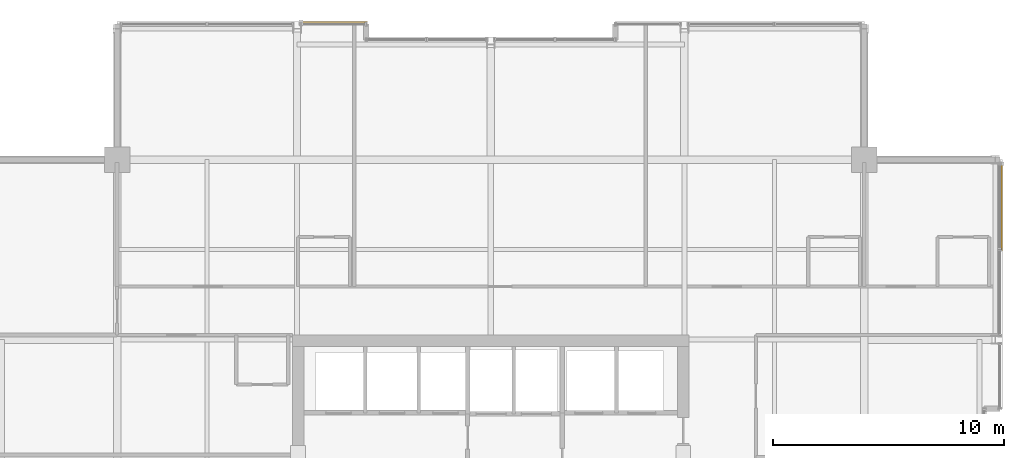
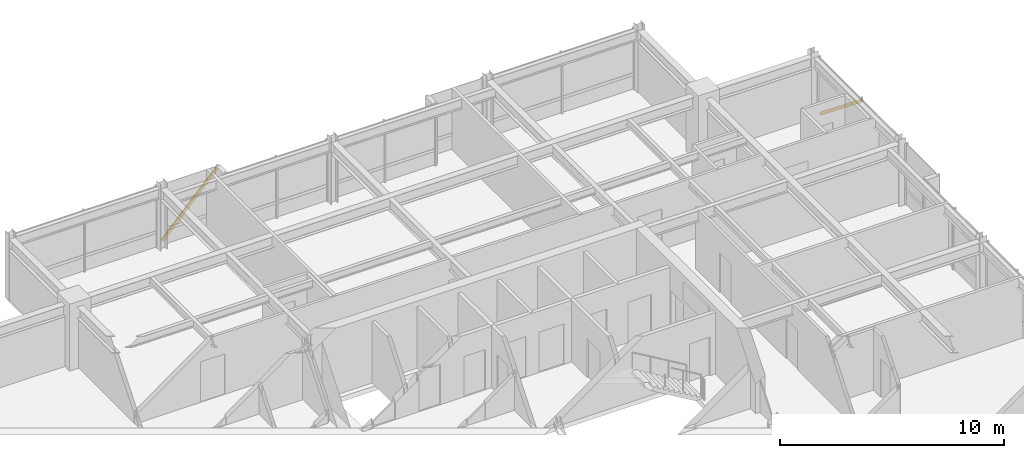
# One storey, part 34 of 34: 2 shading devices.
"""IFC4 building model written with IfcOpenShell, lengths in metres."""

from ifc_helpers import new_model, si_unit, direction, frame, origin, origin_2d, place, context, subcontext, project, spatial, hollow_rectangle, extrude, material, material_profile, profile_set, type_object, element, save


model = new_model("IFC4")

# Units and contexts
model_context = context("Model", 3, precision=1e-05, world=origin(), true_north=direction((0.0, 1.0)))
body_context = subcontext(model_context, "Body", "Model", "MODEL_VIEW")
ifc_project = project(units=[si_unit("LENGTHUNIT", "METRE"), si_unit("AREAUNIT", "SQUARE_METRE"), si_unit("VOLUMEUNIT", "CUBIC_METRE"), si_unit("PLANEANGLEUNIT", "RADIAN"), si_unit("MASSUNIT", "GRAM", prefix="KILO")], contexts=[model_context])

# Site, building, storey
site_placement = place(None, origin())
site = spatial("IfcSite", under=ifc_project, at=site_placement, CompositionType="ELEMENT")
building_placement = place(site_placement, origin())
building = spatial("IfcBuilding", under=site, at=building_placement, Name="Drelvath Grand Hotel", CompositionType="ELEMENT")
storey_placement = place(building_placement, frame((0.0, 0.0, 290.550048828125)))
storey = spatial("IfcBuildingStorey", under=building, at=storey_placement, Name="L76", CompositionType="ELEMENT", Elevation=290.550048828125)

# Shading devices
ifc_material = material(Name="Platinum-Mist Anodised Aluminium", Category="aluminium")
ifc_material_profile = material_profile(ifc_material, hollow_rectangle(XDim=0.06494140625, YDim=0.159912109375, WallThickness=0.00390625, at=origin_2d()), Name="HSS160X65X4")
ifc_profile_set = profile_set([ifc_material_profile], Name="Platinum-Mist Anodised Aluminium")
shading_device_type = type_object("IfcShadingDeviceType", Name="Diagonal Solar Fin Platinum Anodised HSS160X65X4", PredefinedType="USERDEFINED", material=ifc_profile_set)
shading_device_1_placement = place(storey_placement, frame((22.159912109375, 43.030029296875, 0.179931640625), z_axis=(0.0, -0.780255587295, 0.625460804923), x_axis=(1.0, 0.0, 0.0)))
element("IfcShadingDevice", 1, at=shading_device_1_placement, inside=storey, type_object=shading_device_type, Name="L76 Diagonal Anodised Fin CW05-L76-EN2", ObjectType="FIN", PredefinedType="USERDEFINED", context=body_context, shape_type="SweptSolid", body=[
    extrude(hollow_rectangle(XDim=0.06494140625, YDim=0.159912109375, WallThickness=0.00390625, at=origin_2d()), origin(), (0.0, 0.0, 1.0), 4.780517578125),
])
shading_device_2_placement = place(storey_placement, frame((-8.22998046875, 49.159912109375, 0.179931640625), z_axis=(0.687418898533, 0.0, 0.726261149959), x_axis=(0.0, 1.0, 0.0)))
element("IfcShadingDevice", 2, at=shading_device_2_placement, inside=storey, type_object=shading_device_type, Name="L76 Diagonal Anodised Fin CW05-L76-NW2", ObjectType="FIN", PredefinedType="USERDEFINED", context=body_context, shape_type="SweptSolid", body=[
    extrude(hollow_rectangle(XDim=0.06494140625, YDim=0.159912109375, WallThickness=0.00390625, at=origin_2d()), origin(), (0.0, 0.0, 1.0), 4.116943359375),
])

save(model, "model.ifc")
